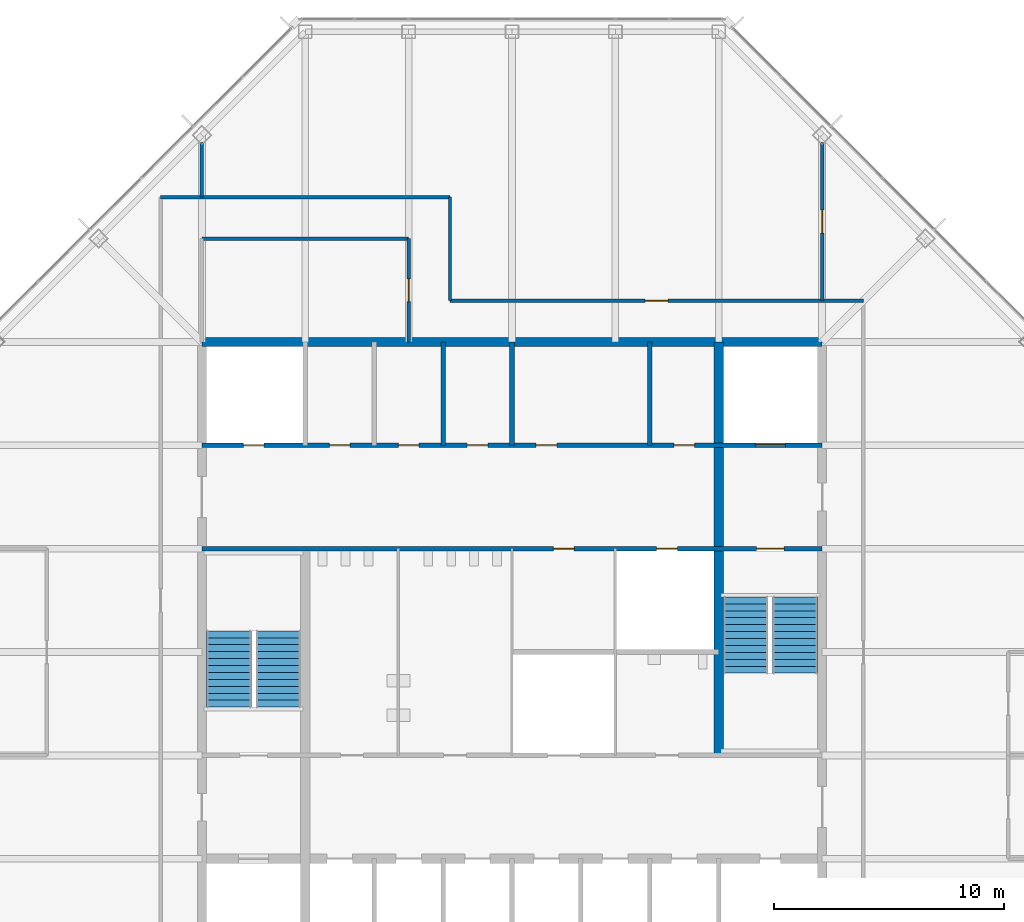
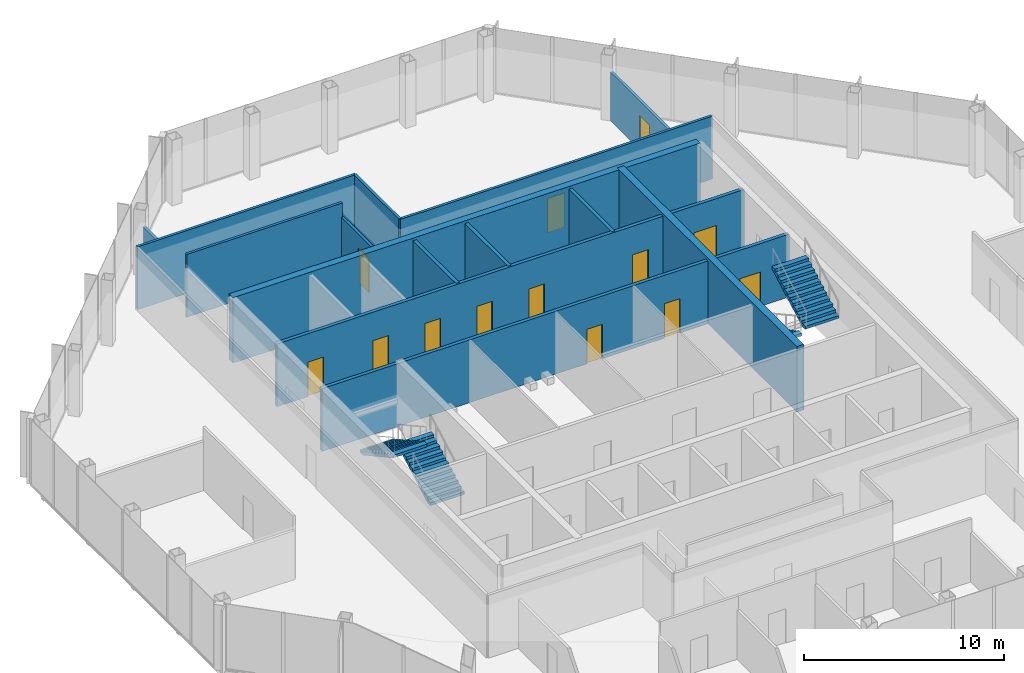
# One storey, part 11 of 13: 14 walls, 13 doors, 4 stair flights, 13 openings, 2 elements without a shape of their own.
"""IFC4 building model written with IfcOpenShell, lengths in metres."""

from ifc_helpers import new_model, si_unit, direction, frame, frame_2d, origin, place, context, subcontext, project, spatial, polyline, rectangle, outline, extrude, material, layer, layer_set, type_object, element, fill, aggregate, save


model = new_model("IFC4")

# Units and contexts
model_context = context("Model", 3, precision=1e-05, world=origin(), true_north=direction((0.0, 1.0)))
body_context = subcontext(model_context, "Body", "Model", "MODEL_VIEW")
ifc_project = project(units=[si_unit("LENGTHUNIT", "METRE"), si_unit("AREAUNIT", "SQUARE_METRE"), si_unit("VOLUMEUNIT", "CUBIC_METRE"), si_unit("PLANEANGLEUNIT", "RADIAN"), si_unit("MASSUNIT", "GRAM", prefix="KILO")], contexts=[model_context])

# Site, building, storey
site_placement = place(None, origin())
site = spatial("IfcSite", under=ifc_project, at=site_placement, CompositionType="ELEMENT")
building_placement = place(site_placement, origin())
building = spatial("IfcBuilding", under=site, at=building_placement, Name="Corais Broadcast Tower", CompositionType="ELEMENT")
storey_placement = place(building_placement, frame((0.0, 0.0, 274.60009765625)))
storey = spatial("IfcBuildingStorey", under=building, at=storey_placement, Name="L64", CompositionType="ELEMENT", Elevation=274.60009765625)

# Wall, openings, doors
ifc_material_1 = material(Name="Concrete blockwork class A, grouted, two-hour", Category="masonry")
ifc_layer_1 = layer(ifc_material_1, 0.199951171875)
ifc_layer_set_1 = layer_set([ifc_layer_1], Name="Concrete blockwork class A, grouted, two-hour")
wall_type_1 = type_object("IfcWallType", Name="Core lobby wall 200", PredefinedType="SOLIDWALL", material=ifc_layer_set_1)
wall_1_placement = place(storey_placement, frame((13.5, 31.5, 0.0), z_axis=(0.0, 0.0, 1.0), x_axis=(1.0, 0.0, 0.0)))
wall_1 = element("IfcWall", 1, at=wall_1_placement, inside=storey, type_object=wall_type_1, Name="CL3 core lobby wall Y315 L64", PredefinedType="SOLIDWALL", context=body_context, shape_type="SweptSolid", body=[
    extrude(rectangle(XDim=27.0, YDim=0.199951171875, at=frame_2d((13.5, 0.0))), origin(), (0.0, 0.0, 1.0), 3.83984375),
])
opening_1_placement = place(wall_1_placement, frame((24.14990234375, 0.0, 0.0)))
opening_1 = element("IfcOpeningElement", 2, at=opening_1_placement, cuts=wall_1, Name="Opening FD1", PredefinedType="OPENING", context=body_context, shape_type="SweptSolid", body=[
    extrude(rectangle(XDim=1.199951171875, YDim=2.10009765625, at=frame_2d((0.60009765625, 1.050048828125))), frame((0.0, 0.10986328125, 0.0), z_axis=(0.0, -1.0, 0.0), x_axis=(1.0, 0.0, 0.0)), (0.0, 0.0, 1.0), 0.219970703125),
])
opening_2_placement = place(wall_1_placement, frame((15.300048828125, 0.0, 0.0)))
opening_2 = element("IfcOpeningElement", 3, at=opening_2_placement, cuts=wall_1, Name="Opening RD1", PredefinedType="OPENING", context=body_context, shape_type="SweptSolid", body=[
    extrude(rectangle(XDim=0.89990234375, YDim=2.10009765625, at=frame_2d((0.449951171875, 1.050048828125))), frame((0.0, 0.10986328125, 0.0), z_axis=(0.0, -1.0, 0.0), x_axis=(1.0, 0.0, 0.0)), (0.0, 0.0, 1.0), 0.219970703125),
])
opening_3_placement = place(wall_1_placement, frame((19.800048828125, 0.0, 0.0)))
opening_3 = element("IfcOpeningElement", 4, at=opening_3_placement, cuts=wall_1, Name="Opening RD1", PredefinedType="OPENING", context=body_context, shape_type="SweptSolid", body=[
    extrude(rectangle(XDim=0.89990234375, YDim=2.10009765625, at=frame_2d((0.449951171875, 1.050048828125))), frame((0.0, 0.10986328125, 0.0), z_axis=(0.0, -1.0, 0.0), x_axis=(1.0, 0.0, 0.0)), (0.0, 0.0, 1.0), 0.219970703125),
])
ifc_material_2 = material(Name="Steel fire door", Category="steel")
door_type_1 = type_object("IfcDoorType", Name="Fire door 1200x2100", OperationType="SINGLE_SWING_LEFT", PredefinedType="DOOR", material=ifc_material_2)
door_1_placement = place(opening_1_placement, origin())
door_1 = element("IfcDoor", 5, at=door_1_placement, inside=storey, type_object=door_type_1, Name="FD1 stair B door L64", OperationType="SINGLE_SWING_RIGHT", OverallHeight=2.10009765625, OverallWidth=1.199951171875, PredefinedType="DOOR", context=body_context, shape_type="SweptSolid", body=[
    extrude(rectangle(XDim=1.199951171875, YDim=2.10009765625, at=frame_2d((0.60009765625, 1.050048828125))), frame((0.0, 0.02490234375, 0.0), z_axis=(0.0, -1.0, 0.0), x_axis=(1.0, 0.0, 0.0)), (0.0, 0.0, 1.0), 0.050048828125),
])
fill(opening_1, door_1)
ifc_material_3 = material(Name="Steel fire door", Category="steel")
door_type_2 = type_object("IfcDoorType", Name="Riser door 900x2100", OperationType="SINGLE_SWING_LEFT", PredefinedType="DOOR", material=ifc_material_3)
door_2_placement = place(opening_2_placement, origin())
door_2 = element("IfcDoor", 6, at=door_2_placement, inside=storey, type_object=door_type_2, Name="RD1 vending room door L64", OperationType="SINGLE_SWING_RIGHT", OverallHeight=2.10009765625, OverallWidth=0.89990234375, PredefinedType="DOOR", context=body_context, shape_type="SweptSolid", body=[
    extrude(rectangle(XDim=0.89990234375, YDim=2.10009765625, at=frame_2d((0.449951171875, 1.050048828125))), frame((0.0, 0.02490234375, 0.0), z_axis=(0.0, -1.0, 0.0), x_axis=(1.0, 0.0, 0.0)), (0.0, 0.0, 1.0), 0.050048828125),
])
fill(opening_2, door_2)
door_3_placement = place(opening_3_placement, origin())
door_3 = element("IfcDoor", 7, at=door_3_placement, inside=storey, type_object=door_type_2, Name="RD1 riser door L64", OperationType="SINGLE_SWING_RIGHT", OverallHeight=2.10009765625, OverallWidth=0.89990234375, PredefinedType="DOOR", context=body_context, shape_type="SweptSolid", body=[
    extrude(rectangle(XDim=0.89990234375, YDim=2.10009765625, at=frame_2d((0.449951171875, 1.050048828125))), frame((0.0, 0.02490234375, 0.0), z_axis=(0.0, -1.0, 0.0), x_axis=(1.0, 0.0, 0.0)), (0.0, 0.0, 1.0), 0.050048828125),
])
fill(opening_3, door_3)

# Walls
ifc_material_4 = material(Name="Concrete C50/60", Category="concrete")
ifc_layer_2 = layer(ifc_material_4, 0.39990234375)
ifc_layer_set_2 = layer_set([ifc_layer_2], Name="Concrete C50/60")
wall_type_2 = type_object("IfcWallType", Name="Core wall 400", PredefinedType="SHEAR", material=ifc_layer_set_2)
wall_2_placement = place(storey_placement, frame((40.5, 40.5, 0.0), z_axis=(0.0, 0.0, 1.0), x_axis=(-1.0, 0.0, 0.0)))
element("IfcWall", 8, at=wall_2_placement, inside=storey, type_object=wall_type_2, Name="CR400 core wall N L64", PredefinedType="SHEAR", context=body_context, shape_type="SweptSolid", body=[
    extrude(rectangle(XDim=27.0, YDim=0.39990234375, at=frame_2d((13.5, 0.0))), origin(), (0.0, 0.0, 1.0), 4.0),
])
wall_3_placement = place(storey_placement, frame((36.0, 22.5, 0.0), z_axis=(0.0, 0.0, 1.0), x_axis=(0.0, 1.0, 0.0)))
element("IfcWall", 9, at=wall_3_placement, inside=storey, type_object=wall_type_2, Name="CR400 core wall X36B L64", PredefinedType="SHEAR", context=body_context, shape_type="SweptSolid", body=[
    extrude(rectangle(XDim=18.0, YDim=0.39990234375, at=frame_2d((9.0, 0.0))), origin(), (0.0, 0.0, 1.0), 4.0),
])

# Wall, openings, doors
ifc_material_5 = material(Name="Concrete blockwork class A, grouted, four-hour", Category="masonry")
ifc_layer_3 = layer(ifc_material_5, 0.199951171875)
ifc_layer_set_3 = layer_set([ifc_layer_3], Name="Concrete blockwork class A, grouted, four-hour")
wall_type_3 = type_object("IfcWallType", Name="Emergency lift shaft wall 200", PredefinedType="SOLIDWALL", material=ifc_layer_set_3)
wall_4_placement = place(storey_placement, frame((13.5, 36.0, 0.0), z_axis=(0.0, 0.0, 1.0), x_axis=(1.0, 0.0, 0.0)))
wall_4 = element("IfcWall", 10, at=wall_4_placement, inside=storey, type_object=wall_type_3, Name="LS3 core lobby wall Y36 L64", PredefinedType="SOLIDWALL", context=body_context, shape_type="SweptSolid", body=[
    extrude(rectangle(XDim=27.0, YDim=0.199951171875, at=frame_2d((13.5, 0.0))), origin(), (0.0, 0.0, 1.0), 3.83984375),
])
opening_4_placement = place(wall_4_placement, frame((1.800048828125, 0.0, 0.0)))
opening_4 = element("IfcOpeningElement", 11, at=opening_4_placement, cuts=wall_4, Name="Opening RD1", PredefinedType="OPENING", context=body_context, shape_type="SweptSolid", body=[
    extrude(rectangle(XDim=0.89990234375, YDim=2.10009765625, at=frame_2d((0.449951171875, 1.050048828125))), frame((0.0, 0.10986328125, 0.0), z_axis=(0.0, -1.0, 0.0), x_axis=(1.0, 0.0, 0.0)), (0.0, 0.0, 1.0), 0.219970703125),
])
opening_5_placement = place(wall_4_placement, frame((5.550048828125, 0.0, 0.0)))
opening_5 = element("IfcOpeningElement", 12, at=opening_5_placement, cuts=wall_4, Name="Opening RD1", PredefinedType="OPENING", context=body_context, shape_type="SweptSolid", body=[
    extrude(rectangle(XDim=0.89990234375, YDim=2.10009765625, at=frame_2d((0.449951171875, 1.050048828125))), frame((0.0, 0.10986328125, 0.0), z_axis=(0.0, -1.0, 0.0), x_axis=(1.0, 0.0, 0.0)), (0.0, 0.0, 1.0), 0.219970703125),
])
opening_6_placement = place(wall_4_placement, frame((8.550048828125, 0.0, 0.0)))
opening_6 = element("IfcOpeningElement", 13, at=opening_6_placement, cuts=wall_4, Name="Opening RD1", PredefinedType="OPENING", context=body_context, shape_type="SweptSolid", body=[
    extrude(rectangle(XDim=0.89990234375, YDim=2.10009765625, at=frame_2d((0.449951171875, 1.050048828125))), frame((0.0, 0.10986328125, 0.0), z_axis=(0.0, -1.0, 0.0), x_axis=(1.0, 0.0, 0.0)), (0.0, 0.0, 1.0), 0.219970703125),
])
opening_7_placement = place(wall_4_placement, frame((11.550048828125, 0.0, 0.0)))
opening_7 = element("IfcOpeningElement", 14, at=opening_7_placement, cuts=wall_4, Name="Opening RD1", PredefinedType="OPENING", context=body_context, shape_type="SweptSolid", body=[
    extrude(rectangle(XDim=0.89990234375, YDim=2.10009765625, at=frame_2d((0.449951171875, 1.050048828125))), frame((0.0, 0.10986328125, 0.0), z_axis=(0.0, -1.0, 0.0), x_axis=(1.0, 0.0, 0.0)), (0.0, 0.0, 1.0), 0.219970703125),
])
opening_8_placement = place(wall_4_placement, frame((14.550048828125, 0.0, 0.0)))
opening_8 = element("IfcOpeningElement", 15, at=opening_8_placement, cuts=wall_4, Name="Opening RD1", PredefinedType="OPENING", context=body_context, shape_type="SweptSolid", body=[
    extrude(rectangle(XDim=0.89990234375, YDim=2.10009765625, at=frame_2d((0.449951171875, 1.050048828125))), frame((0.0, 0.10986328125, 0.0), z_axis=(0.0, -1.0, 0.0), x_axis=(1.0, 0.0, 0.0)), (0.0, 0.0, 1.0), 0.219970703125),
])
opening_9_placement = place(wall_4_placement, frame((20.550048828125, 0.0, 0.0)))
opening_9 = element("IfcOpeningElement", 16, at=opening_9_placement, cuts=wall_4, Name="Opening RD1", PredefinedType="OPENING", context=body_context, shape_type="SweptSolid", body=[
    extrude(rectangle(XDim=0.89990234375, YDim=2.10009765625, at=frame_2d((0.449951171875, 1.050048828125))), frame((0.0, 0.10986328125, 0.0), z_axis=(0.0, -1.0, 0.0), x_axis=(1.0, 0.0, 0.0)), (0.0, 0.0, 1.0), 0.219970703125),
])
opening_10_placement = place(wall_4_placement, frame((24.10009765625, 0.0, 0.0)))
opening_10 = element("IfcOpeningElement", 17, at=opening_10_placement, cuts=wall_4, Name="Opening LD2", PredefinedType="OPENING", context=body_context, shape_type="SweptSolid", body=[
    extrude(rectangle(XDim=1.300048828125, YDim=2.199951171875, at=frame_2d((0.64990234375, 1.10009765625))), frame((0.0, 0.10986328125, 0.0), z_axis=(0.0, -1.0, 0.0), x_axis=(1.0, 0.0, 0.0)), (0.0, 0.0, 1.0), 0.219970703125),
])
ifc_material_6 = material(Name="Stainless steel lift door", Category="steel")
door_type_3 = type_object("IfcDoorType", Name="Lift landing door 1300x2200", OperationType="SLIDING_TO_LEFT", PredefinedType="DOOR", material=ifc_material_6)
door_4_placement = place(opening_10_placement, origin())
door_4 = element("IfcDoor", 18, at=door_4_placement, inside=storey, type_object=door_type_3, Name="LD2 FL2 landing door L64", OperationType="SLIDING_TO_LEFT", OverallHeight=2.199951171875, OverallWidth=1.300048828125, PredefinedType="DOOR", context=body_context, shape_type="SweptSolid", body=[
    extrude(rectangle(XDim=1.300048828125, YDim=2.199951171875, at=frame_2d((0.64990234375, 1.10009765625))), frame((0.0, 0.02490234375, 0.0), z_axis=(0.0, -1.0, 0.0), x_axis=(1.0, 0.0, 0.0)), (0.0, 0.0, 1.0), 0.050048828125),
])
fill(opening_10, door_4)
door_5_placement = place(opening_4_placement, origin())
door_5 = element("IfcDoor", 19, at=door_5_placement, inside=storey, type_object=door_type_2, Name="RD1 riser door L64", OperationType="SINGLE_SWING_LEFT", OverallHeight=2.10009765625, OverallWidth=0.89990234375, PredefinedType="DOOR", context=body_context, shape_type="SweptSolid", body=[
    extrude(rectangle(XDim=0.89990234375, YDim=2.10009765625, at=frame_2d((0.449951171875, 1.050048828125))), frame((0.0, 0.02490234375, 0.0), z_axis=(0.0, -1.0, 0.0), x_axis=(1.0, 0.0, 0.0)), (0.0, 0.0, 1.0), 0.050048828125),
])
fill(opening_4, door_5)
door_6_placement = place(opening_5_placement, origin())
door_6 = element("IfcDoor", 20, at=door_6_placement, inside=storey, type_object=door_type_2, Name="RD1 print room door L64", OperationType="SINGLE_SWING_LEFT", OverallHeight=2.10009765625, OverallWidth=0.89990234375, PredefinedType="DOOR", context=body_context, shape_type="SweptSolid", body=[
    extrude(rectangle(XDim=0.89990234375, YDim=2.10009765625, at=frame_2d((0.449951171875, 1.050048828125))), frame((0.0, 0.02490234375, 0.0), z_axis=(0.0, -1.0, 0.0), x_axis=(1.0, 0.0, 0.0)), (0.0, 0.0, 1.0), 0.050048828125),
])
fill(opening_5, door_6)
door_7_placement = place(opening_6_placement, origin())
door_7 = element("IfcDoor", 21, at=door_7_placement, inside=storey, type_object=door_type_2, Name="RD1 wellness room door L64", OperationType="SINGLE_SWING_LEFT", OverallHeight=2.10009765625, OverallWidth=0.89990234375, PredefinedType="DOOR", context=body_context, shape_type="SweptSolid", body=[
    extrude(rectangle(XDim=0.89990234375, YDim=2.10009765625, at=frame_2d((0.449951171875, 1.050048828125))), frame((0.0, 0.02490234375, 0.0), z_axis=(0.0, -1.0, 0.0), x_axis=(1.0, 0.0, 0.0)), (0.0, 0.0, 1.0), 0.050048828125),
])
fill(opening_6, door_7)
door_8_placement = place(opening_7_placement, origin())
door_8 = element("IfcDoor", 22, at=door_8_placement, inside=storey, type_object=door_type_2, Name="RD1 first aid room door L64", OperationType="SINGLE_SWING_LEFT", OverallHeight=2.10009765625, OverallWidth=0.89990234375, PredefinedType="DOOR", context=body_context, shape_type="SweptSolid", body=[
    extrude(rectangle(XDim=0.89990234375, YDim=2.10009765625, at=frame_2d((0.449951171875, 1.050048828125))), frame((0.0, 0.02490234375, 0.0), z_axis=(0.0, -1.0, 0.0), x_axis=(1.0, 0.0, 0.0)), (0.0, 0.0, 1.0), 0.050048828125),
])
fill(opening_7, door_8)
door_9_placement = place(opening_8_placement, origin())
door_9 = element("IfcDoor", 23, at=door_9_placement, inside=storey, type_object=door_type_2, Name="RD1 stationery store door L64", OperationType="SINGLE_SWING_RIGHT", OverallHeight=2.10009765625, OverallWidth=0.89990234375, PredefinedType="DOOR", context=body_context, shape_type="SweptSolid", body=[
    extrude(rectangle(XDim=0.89990234375, YDim=2.10009765625, at=frame_2d((0.449951171875, 1.050048828125))), frame((0.0, 0.02490234375, 0.0), z_axis=(0.0, -1.0, 0.0), x_axis=(1.0, 0.0, 0.0)), (0.0, 0.0, 1.0), 0.050048828125),
])
fill(opening_8, door_9)
door_10_placement = place(opening_9_placement, origin())
door_10 = element("IfcDoor", 24, at=door_10_placement, inside=storey, type_object=door_type_2, Name="RD1 av equipment room door L64", OperationType="SINGLE_SWING_RIGHT", OverallHeight=2.10009765625, OverallWidth=0.89990234375, PredefinedType="DOOR", context=body_context, shape_type="SweptSolid", body=[
    extrude(rectangle(XDim=0.89990234375, YDim=2.10009765625, at=frame_2d((0.449951171875, 1.050048828125))), frame((0.0, 0.02490234375, 0.0), z_axis=(0.0, -1.0, 0.0), x_axis=(1.0, 0.0, 0.0)), (0.0, 0.0, 1.0), 0.050048828125),
])
fill(opening_9, door_10)

# Wall, opening, door
ifc_material_7 = material(Name="Gypsum board on steel studs", Category="steel")
ifc_layer_4 = layer(ifc_material_7, 0.14990234375)
ifc_layer_set_4 = layer_set([ifc_layer_4], Name="Gypsum board on steel studs")
wall_type_4 = type_object("IfcWallType", Name="Partition 150", PredefinedType="PARTITIONING", material=ifc_layer_set_4)
wall_5_placement = place(storey_placement, frame((42.300048828125, 42.300048828125, 0.0), z_axis=(0.0, 0.0, 1.0), x_axis=(-1.0, 0.0, 0.0)))
wall_5 = element("IfcWall", 25, at=wall_5_placement, inside=storey, type_object=wall_type_4, Name="IW3 corridor wall L64", PredefinedType="PARTITIONING", context=body_context, shape_type="SweptSolid", body=[
    extrude(rectangle(XDim=18.0, YDim=0.14990234375, at=frame_2d((9.0, 0.0))), origin(), (0.0, 0.0, 1.0), 3.83984375),
])
opening_11_placement = place(wall_5_placement, frame((8.5, 0.0, 0.0)))
opening_11 = element("IfcOpeningElement", 26, at=opening_11_placement, cuts=wall_5, Name="Opening D1", PredefinedType="OPENING", context=body_context, shape_type="SweptSolid", body=[
    extrude(rectangle(XDim=1.0, YDim=2.10009765625, at=frame_2d((0.5, 1.050048828125))), frame((0.0, 0.0849609375, 0.0), z_axis=(0.0, -1.0, 0.0), x_axis=(1.0, 0.0, 0.0)), (0.0, 0.0, 1.0), 0.169921875),
])
ifc_material_8 = material(Name="Timber door", Category="wood")
door_type_4 = type_object("IfcDoorType", Name="Single door 1000x2100", OperationType="SINGLE_SWING_LEFT", PredefinedType="DOOR", material=ifc_material_8)
door_11_placement = place(opening_11_placement, origin())
door_11 = element("IfcDoor", 27, at=door_11_placement, inside=storey, type_object=door_type_4, Name="D1 workplace door L64", OperationType="SINGLE_SWING_LEFT", OverallHeight=2.10009765625, OverallWidth=1.0, PredefinedType="DOOR", context=body_context, shape_type="SweptSolid", body=[
    extrude(rectangle(XDim=1.0, YDim=2.10009765625, at=frame_2d((0.5, 1.050048828125))), frame((0.0, 0.02490234375, 0.0), z_axis=(0.0, -1.0, 0.0), x_axis=(1.0, 0.0, 0.0)), (0.0, 0.0, 1.0), 0.050048828125),
])
fill(opening_11, door_11)

# Walls
wall_6_placement = place(storey_placement, frame((24.300048828125, 46.800048828125, 0.0), z_axis=(0.0, 0.0, 1.0), x_axis=(-1.0, 0.0, 0.0)))
element("IfcWall", 28, at=wall_6_placement, inside=storey, type_object=wall_type_4, Name="IW3 corridor wall L64", PredefinedType="PARTITIONING", context=body_context, shape_type="SweptSolid", body=[
    extrude(rectangle(XDim=12.60009765625, YDim=0.14990234375, at=frame_2d((6.300048828125, 0.0))), origin(), (0.0, 0.0, 1.0), 3.83984375),
])
wall_7_placement = place(storey_placement, frame((24.300048828125, 42.300048828125, 0.0), z_axis=(0.0, 0.0, 1.0), x_axis=(0.0, 1.0, 0.0)))
element("IfcWall", 29, at=wall_7_placement, inside=storey, type_object=wall_type_4, Name="IW3 corridor wall L64", PredefinedType="PARTITIONING", context=body_context, shape_type="SweptSolid", body=[
    extrude(rectangle(XDim=4.5, YDim=0.14990234375, at=frame_2d((2.25, 0.0))), origin(), (0.0, 0.0, 1.0), 3.83984375),
])

# Wall, opening, door
wall_8_placement = place(storey_placement, frame((22.5, 40.5, 0.0), z_axis=(0.0, 0.0, 1.0), x_axis=(0.0, 1.0, 0.0)))
wall_8 = element("IfcWall", 30, at=wall_8_placement, inside=storey, type_object=wall_type_4, Name="IW3 partition L64", PredefinedType="PARTITIONING", context=body_context, shape_type="SweptSolid", body=[
    extrude(rectangle(XDim=4.5, YDim=0.14990234375, at=frame_2d((2.25, 0.0))), origin(), (0.0, 0.0, 1.0), 2.989013671875),
])
opening_12_placement = place(wall_8_placement, frame((1.75, 0.0, 0.0)))
opening_12 = element("IfcOpeningElement", 31, at=opening_12_placement, cuts=wall_8, Name="Opening D1", PredefinedType="OPENING", context=body_context, shape_type="SweptSolid", body=[
    extrude(rectangle(XDim=1.0, YDim=2.10009765625, at=frame_2d((0.5, 1.050048828125))), frame((0.0, 0.0849609375, 0.0), z_axis=(0.0, -1.0, 0.0), x_axis=(1.0, 0.0, 0.0)), (0.0, 0.0, 1.0), 0.169921875),
])
door_12_placement = place(opening_12_placement, origin())
door_12 = element("IfcDoor", 32, at=door_12_placement, inside=storey, type_object=door_type_4, Name="D1 Investor relations workroom door", OperationType="SINGLE_SWING_LEFT", OverallHeight=2.10009765625, OverallWidth=1.0, PredefinedType="DOOR", context=body_context, shape_type="SweptSolid", body=[
    extrude(rectangle(XDim=1.0, YDim=2.10009765625, at=frame_2d((0.5, 1.050048828125))), frame((0.0, 0.02490234375, 0.0), z_axis=(0.0, -1.0, 0.0), x_axis=(1.0, 0.0, 0.0)), (0.0, 0.0, 1.0), 0.050048828125),
])
fill(opening_12, door_12)

# Wall
wall_9_placement = place(storey_placement, frame((22.5, 45.0, 0.0), z_axis=(0.0, 0.0, 1.0), x_axis=(-1.0, 0.0, 0.0)))
element("IfcWall", 33, at=wall_9_placement, inside=storey, type_object=wall_type_4, Name="IW3 partition L64", PredefinedType="PARTITIONING", context=body_context, shape_type="SweptSolid", body=[
    extrude(rectangle(XDim=9.0, YDim=0.14990234375, at=frame_2d((4.5, 0.0))), origin(), (0.0, 0.0, 1.0), 3.83984375),
])

# Wall, opening, door
wall_10_placement = place(storey_placement, frame((40.5, 49.179931640625, 0.0), z_axis=(0.0, 0.0, 1.0), x_axis=(0.0, -1.0, 0.0)))
wall_10 = element("IfcWall", 34, at=wall_10_placement, inside=storey, type_object=wall_type_4, Name="IW3 partition L64", PredefinedType="PARTITIONING", context=body_context, shape_type="SweptSolid", body=[
    extrude(rectangle(XDim=6.8798828125, YDim=0.14990234375, at=frame_2d((3.43994140625, 0.0))), origin(), (0.0, 0.0, 1.0), 2.989013671875),
])
opening_13_placement = place(wall_10_placement, frame((2.93994140625, 0.0, 0.0)))
opening_13 = element("IfcOpeningElement", 35, at=opening_13_placement, cuts=wall_10, Name="Opening D1", PredefinedType="OPENING", context=body_context, shape_type="SweptSolid", body=[
    extrude(rectangle(XDim=1.0, YDim=2.10009765625, at=frame_2d((0.5, 1.050048828125))), frame((0.0, 0.0849609375, 0.0), z_axis=(0.0, -1.0, 0.0), x_axis=(1.0, 0.0, 0.0)), (0.0, 0.0, 1.0), 0.169921875),
])
door_13_placement = place(opening_13_placement, origin())
door_13 = element("IfcDoor", 36, at=door_13_placement, inside=storey, type_object=door_type_4, Name="D1 team room door L64", OperationType="SINGLE_SWING_LEFT", OverallHeight=2.10009765625, OverallWidth=1.0, PredefinedType="DOOR", context=body_context, shape_type="SweptSolid", body=[
    extrude(rectangle(XDim=1.0, YDim=2.10009765625, at=frame_2d((0.5, 1.050048828125))), frame((0.0, 0.02490234375, 0.0), z_axis=(0.0, -1.0, 0.0), x_axis=(1.0, 0.0, 0.0)), (0.0, 0.0, 1.0), 0.050048828125),
])
fill(opening_13, door_13)

# Walls
wall_11_placement = place(storey_placement, frame((13.5, 46.800048828125, 0.0), z_axis=(0.0, 0.0, 1.0), x_axis=(0.0, 1.0, 0.0)))
element("IfcWall", 37, at=wall_11_placement, inside=storey, type_object=wall_type_4, Name="IW3 partition L64", PredefinedType="PARTITIONING", context=body_context, shape_type="SweptSolid", body=[
    extrude(rectangle(XDim=2.3798828125, YDim=0.14990234375, at=frame_2d((1.18994140625, 0.0))), origin(), (0.0, 0.0, 1.0), 2.989013671875),
])
ifc_material_9 = material(Name="Concrete blockwork class A, grouted, two-hour", Category="masonry")
ifc_layer_5 = layer(ifc_material_9, 0.199951171875)
ifc_layer_set_5 = layer_set([ifc_layer_5], Name="Concrete blockwork class A, grouted, two-hour")
wall_type_5 = type_object("IfcWallType", Name="Shaft wall 200", PredefinedType="PARTITIONING", material=ifc_layer_set_5)
for number, where, z_axis, x_axis, name in (
    (38, (24.0, 36.0, 0.0), (0.0, 0.0, 1.0), (0.0, 1.0, 0.0), "IW1 shaft wall L64"),
    (39, (27.0, 36.0, 0.0), (0.0, 0.0, 1.0), (0.0, 1.0, 0.0), "IW1 shaft wall L64"),
    (40, (33.0, 36.0, 0.0), (0.0, 0.0, 1.0), (0.0, 1.0, 0.0), "IW1 shaft wall L64"),
):
    element("IfcWall", number, at=place(storey_placement, frame(where, z_axis=z_axis, x_axis=x_axis)), inside=storey, type_object=wall_type_5, Name=name, PredefinedType="PARTITIONING", context=body_context, shape_type="SweptSolid", body=[
        extrude(rectangle(XDim=4.5, YDim=0.199951171875, at=frame_2d((2.25, 0.0))), origin(), (0.0, 0.0, 1.0), 3.83984375),
    ])

# Stair, stair flights
ifc_material_10 = material(Name="Concrete C30/37", Category="concrete")
stair_type = type_object("IfcStairType", Name="Half-turn stair 4000", PredefinedType="HALF_TURN_STAIR", material=ifc_material_10)
stair_1_placement = place(storey_placement, origin())
stair_1 = element("IfcStair", 41, at=stair_1_placement, inside=storey, type_object=stair_type, Name="Stair A L64", PredefinedType="HALF_TURN_STAIR")
ifc_material_11 = material(Name="Concrete C30/37", Category="concrete")
stair_flight_type = type_object("IfcStairFlightType", Name="Stair flight 4000", PredefinedType="STRAIGHT", material=ifc_material_11)
stair_flight_1_placement = place(storey_placement, frame((16.824951171875, 24.60009765625, 0.0), z_axis=(0.0, 0.0, 1.0), x_axis=(0.0, 1.0, 0.0)))
stair_flight_1 = element("IfcStairFlight", 42, at=stair_flight_1_placement, type_object=stair_flight_type, Name="STA flight 1", NumberOfRisers=12, NumberOfTreads=11, PredefinedType="STRAIGHT", RiserHeight=0.166666667, TreadLength=0.302, context=body_context, shape_type="SweptSolid", body=[
    extrude(outline(polyline([(0.0, 0.0), (0.0, 0.166748046875), (0.302001953125, 0.166748046875), (0.302001953125, 0.333251953125), (0.60400390625, 0.333251953125), (0.60400390625, 0.5), (0.906005859375, 0.5), (0.906005859375, 0.666748046875), (1.2080078125, 0.666748046875), (1.2080078125, 0.833251953125), (1.510009765625, 0.833251953125), (1.510009765625, 1.0), (1.81201171875, 1.0), (1.81201171875, 1.166748046875), (2.114013671875, 1.166748046875), (2.114013671875, 1.333251953125), (2.416015625, 1.333251953125), (2.416015625, 1.5), (2.718017578125, 1.5), (2.718017578125, 1.666748046875), (3.02001953125, 1.666748046875), (3.02001953125, 1.833251953125), (3.322021484375, 1.833251953125), (3.322021484375, 2.0), (3.322021484375, 1.662109375), (0.310302734375, 0.0), (0.0, 0.0)])), frame((0.0, 0.97509765625, 0.0), z_axis=(0.0, -1.0, 0.0), x_axis=(1.0, 0.0, 0.0)), (0.0, 0.0, 1.0), 1.949951171875),
])
stair_flight_2_placement = place(storey_placement, frame((14.675048828125, 27.922119140625, 2.0), z_axis=(0.0, 0.0, 1.0), x_axis=(0.0, -1.0, 0.0)))
stair_flight_2 = element("IfcStairFlight", 43, at=stair_flight_2_placement, type_object=stair_flight_type, Name="STA flight 2", NumberOfRisers=12, NumberOfTreads=11, PredefinedType="STRAIGHT", RiserHeight=0.166666667, TreadLength=0.302, context=body_context, shape_type="SweptSolid", body=[
    extrude(outline(polyline([(0.0, 0.0), (0.0, 0.166748046875), (0.302001953125, 0.166748046875), (0.302001953125, 0.333251953125), (0.60400390625, 0.333251953125), (0.60400390625, 0.5), (0.906005859375, 0.5), (0.906005859375, 0.666748046875), (1.2080078125, 0.666748046875), (1.2080078125, 0.833251953125), (1.510009765625, 0.833251953125), (1.510009765625, 1.0), (1.81201171875, 1.0), (1.81201171875, 1.166748046875), (2.114013671875, 1.166748046875), (2.114013671875, 1.333251953125), (2.416015625, 1.333251953125), (2.416015625, 1.5), (2.718017578125, 1.5), (2.718017578125, 1.666748046875), (3.02001953125, 1.666748046875), (3.02001953125, 1.833251953125), (3.322021484375, 1.833251953125), (3.322021484375, 2.0), (3.322021484375, 1.662109375), (0.310302734375, 0.0), (0.0, 0.0)])), frame((0.0, 0.97509765625, 0.0), z_axis=(0.0, -1.0, 0.0), x_axis=(1.0, 0.0, 0.0)), (0.0, 0.0, 1.0), 1.949951171875),
])
aggregate(stair_1, [stair_flight_1, stair_flight_2])

stair_2_placement = place(storey_placement, origin())
stair_2 = element("IfcStair", 44, at=stair_2_placement, inside=storey, type_object=stair_type, Name="Stair B L64", PredefinedType="HALF_TURN_STAIR")
stair_flight_3_placement = place(storey_placement, frame((37.175048828125, 29.39990234375, 0.0), z_axis=(0.0, 0.0, 1.0), x_axis=(0.0, -1.0, 0.0)))
stair_flight_3 = element("IfcStairFlight", 45, at=stair_flight_3_placement, type_object=stair_flight_type, Name="STB flight 1", NumberOfRisers=12, NumberOfTreads=11, PredefinedType="STRAIGHT", RiserHeight=0.166666667, TreadLength=0.302, context=body_context, shape_type="SweptSolid", body=[
    extrude(outline(polyline([(0.0, 0.0), (0.0, 0.166748046875), (0.302001953125, 0.166748046875), (0.302001953125, 0.333251953125), (0.60400390625, 0.333251953125), (0.60400390625, 0.5), (0.906005859375, 0.5), (0.906005859375, 0.666748046875), (1.2080078125, 0.666748046875), (1.2080078125, 0.833251953125), (1.510009765625, 0.833251953125), (1.510009765625, 1.0), (1.81201171875, 1.0), (1.81201171875, 1.166748046875), (2.114013671875, 1.166748046875), (2.114013671875, 1.333251953125), (2.416015625, 1.333251953125), (2.416015625, 1.5), (2.718017578125, 1.5), (2.718017578125, 1.666748046875), (3.02001953125, 1.666748046875), (3.02001953125, 1.833251953125), (3.322021484375, 1.833251953125), (3.322021484375, 2.0), (3.322021484375, 1.662109375), (0.310302734375, 0.0), (0.0, 0.0)])), frame((0.0, 0.97509765625, 0.0), z_axis=(0.0, -1.0, 0.0), x_axis=(1.0, 0.0, 0.0)), (0.0, 0.0, 1.0), 1.949951171875),
])
stair_flight_4_placement = place(storey_placement, frame((39.324951171875, 26.077880859375, 2.0), z_axis=(0.0, 0.0, 1.0), x_axis=(0.0, 1.0, 0.0)))
stair_flight_4 = element("IfcStairFlight", 46, at=stair_flight_4_placement, type_object=stair_flight_type, Name="STB flight 2", NumberOfRisers=12, NumberOfTreads=11, PredefinedType="STRAIGHT", RiserHeight=0.166666667, TreadLength=0.302, context=body_context, shape_type="SweptSolid", body=[
    extrude(outline(polyline([(0.0, 0.0), (0.0, 0.166748046875), (0.302001953125, 0.166748046875), (0.302001953125, 0.333251953125), (0.60400390625, 0.333251953125), (0.60400390625, 0.5), (0.906005859375, 0.5), (0.906005859375, 0.666748046875), (1.2080078125, 0.666748046875), (1.2080078125, 0.833251953125), (1.510009765625, 0.833251953125), (1.510009765625, 1.0), (1.81201171875, 1.0), (1.81201171875, 1.166748046875), (2.114013671875, 1.166748046875), (2.114013671875, 1.333251953125), (2.416015625, 1.333251953125), (2.416015625, 1.5), (2.718017578125, 1.5), (2.718017578125, 1.666748046875), (3.02001953125, 1.666748046875), (3.02001953125, 1.833251953125), (3.322021484375, 1.833251953125), (3.322021484375, 2.0), (3.322021484375, 1.662109375), (0.310302734375, 0.0), (0.0, 0.0)])), frame((0.0, 0.97509765625, 0.0), z_axis=(0.0, -1.0, 0.0), x_axis=(1.0, 0.0, 0.0)), (0.0, 0.0, 1.0), 1.949951171875),
])
aggregate(stair_2, [stair_flight_3, stair_flight_4])

save(model, "model.ifc")
